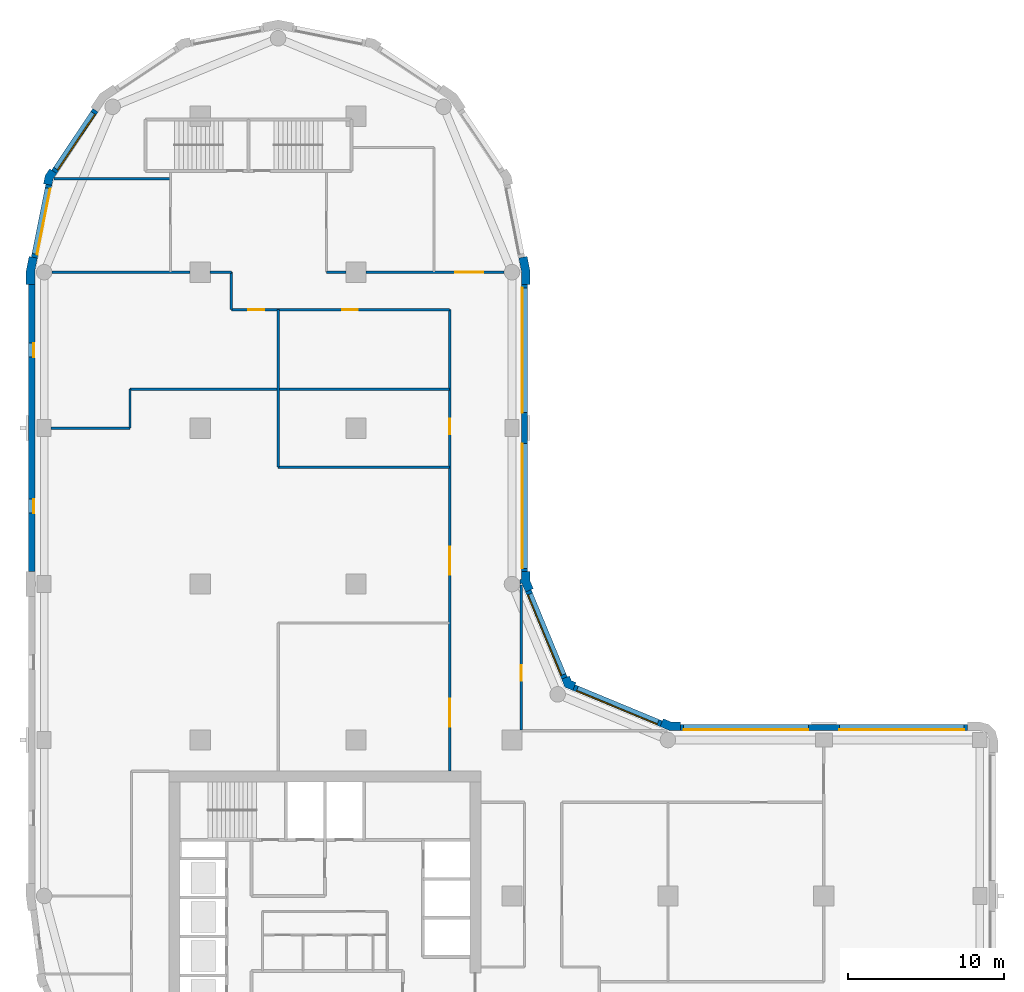
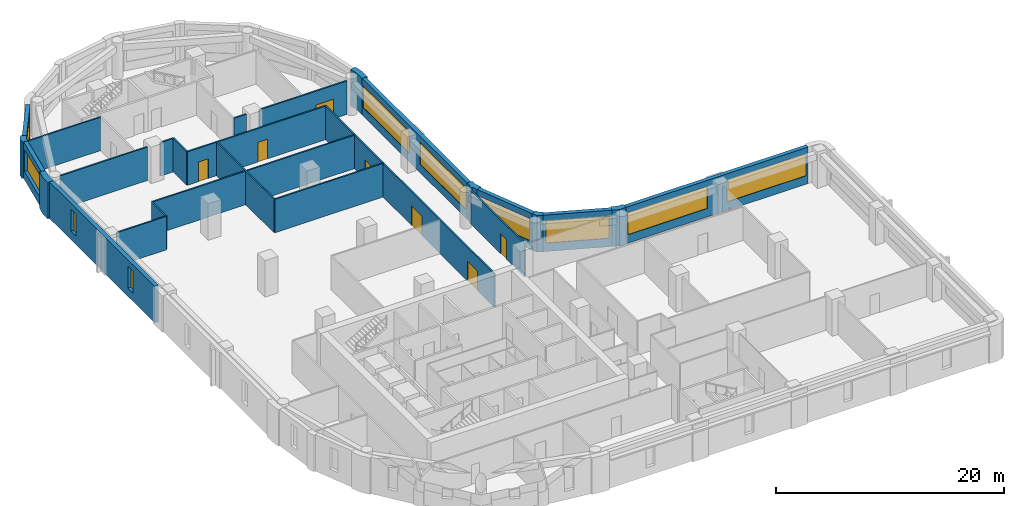
# One storey, part 5 of 9: 27 walls, 10 windows, 7 doors, 17 openings.
"""IFC4 building model written with IfcOpenShell, lengths in metres."""

from ifc_helpers import new_model, si_unit, direction, frame, frame_2d, origin, place, context, subcontext, project, spatial, polyline, rectangle, outline, extrude, material, layer, layer_set, type_object, element, fill, save


model = new_model("IFC4")

# Units and contexts
model_context = context("Model", 3, precision=1e-05, world=origin(), true_north=direction((0.0, 1.0)))
body_context = subcontext(model_context, "Body", "Model", "MODEL_VIEW")
ifc_project = project(units=[si_unit("LENGTHUNIT", "METRE"), si_unit("AREAUNIT", "SQUARE_METRE"), si_unit("VOLUMEUNIT", "CUBIC_METRE"), si_unit("PLANEANGLEUNIT", "RADIAN"), si_unit("MASSUNIT", "GRAM", prefix="KILO")], contexts=[model_context])

# Site, building, storey
site_placement = place(None, origin())
site = spatial("IfcSite", under=ifc_project, at=site_placement, CompositionType="ELEMENT")
building_placement = place(site_placement, origin())
building = spatial("IfcBuilding", under=site, at=building_placement, Name="Qaws Garden Tower", CompositionType="ELEMENT")
storey_placement = place(building_placement, frame((0.0, 0.0, 198.0)))
storey = spatial("IfcBuildingStorey", under=building, at=storey_placement, Name="L48", CompositionType="ELEMENT", Elevation=198.0)

# Wall, openings, windows
ifc_material_1 = material(Name="Clay facing brick masonry", Category="masonry")
ifc_layer_1 = layer(ifc_material_1, 0.39990234375)
ifc_layer_set_1 = layer_set([ifc_layer_1], Name="Clay facing brick masonry")
wall_type_1 = type_object("IfcWallType", Name="Brick infill wall 400", PredefinedType="SOLIDWALL", material=ifc_layer_set_1)
wall_1_placement = place(storey_placement, frame((59.199951171875, 30.800048828125, 0.0), z_axis=(0.0, 0.0, 1.0), x_axis=(-1.0, 0.0, 0.0)))
wall_1 = element("IfcWall", 1, at=wall_1_placement, inside=storey, type_object=wall_type_1, Name="E-L48-infill-07", PredefinedType="SOLIDWALL", context=body_context, shape_type="SweptSolid", body=[
    extrude(rectangle(XDim=18.39990234375, YDim=0.39990234375, at=frame_2d((9.199951171875, 0.0))), origin(), (0.0, 0.0, 1.0), 3.89990234375),
])
opening_1_placement = place(wall_1_placement, frame((0.199951171875, 0.0, 0.89990234375)))
opening_1 = element("IfcOpeningElement", 2, at=opening_1_placement, cuts=wall_1, Name="Opening W01", PredefinedType="OPENING", context=body_context, shape_type="SweptSolid", body=[
    extrude(rectangle(XDim=8.0, YDim=2.35009765625, at=frame_2d((4.0, 1.175048828125))), frame((0.0, 0.2099609375, 0.0), z_axis=(0.0, -1.0, 0.0), x_axis=(1.0, 0.0, 0.0)), (0.0, 0.0, 1.0), 0.419921875),
])
opening_2_placement = place(wall_1_placement, frame((10.199951171875, 0.0, 0.89990234375)))
opening_2 = element("IfcOpeningElement", 3, at=opening_2_placement, cuts=wall_1, Name="Opening W01", PredefinedType="OPENING", context=body_context, shape_type="SweptSolid", body=[
    extrude(rectangle(XDim=8.0, YDim=2.35009765625, at=frame_2d((4.0, 1.175048828125))), frame((0.0, 0.2099609375, 0.0), z_axis=(0.0, -1.0, 0.0), x_axis=(1.0, 0.0, 0.0)), (0.0, 0.0, 1.0), 0.419921875),
])
ifc_material_2 = material(Name="Aluminium framed window, clear glazing", Category="aluminium")
window_type_1 = type_object("IfcWindowType", Name="Ribbon window 8000 x 2350", PartitioningType="DOUBLE_PANEL_VERTICAL", PredefinedType="WINDOW", material=ifc_material_2)
window_1_placement = place(opening_1_placement, origin())
window_1 = element("IfcWindow", 4, at=window_1_placement, inside=storey, type_object=window_type_1, Name="E-L48-window-07-0", OverallHeight=2.35009765625, OverallWidth=8.0, PartitioningType="SINGLE_PANEL", PredefinedType="WINDOW", context=body_context, shape_type="SweptSolid", body=[
    extrude(rectangle(XDim=8.0, YDim=2.35009765625, at=frame_2d((4.0, 1.175048828125))), frame((0.0, 0.159912109375, 0.0), z_axis=(0.0, -1.0, 0.0), x_axis=(1.0, 0.0, 0.0)), (0.0, 0.0, 1.0), 0.06005859375),
])
fill(opening_1, window_1)
window_2_placement = place(opening_2_placement, origin())
window_2 = element("IfcWindow", 5, at=window_2_placement, inside=storey, type_object=window_type_1, Name="E-L48-window-08-0", OverallHeight=2.35009765625, OverallWidth=8.0, PartitioningType="SINGLE_PANEL", PredefinedType="WINDOW", context=body_context, shape_type="SweptSolid", body=[
    extrude(rectangle(XDim=8.0, YDim=2.35009765625, at=frame_2d((4.0, 1.175048828125))), frame((0.0, 0.159912109375, 0.0), z_axis=(0.0, -1.0, 0.0), x_axis=(1.0, 0.0, 0.0)), (0.0, 0.0, 1.0), 0.06005859375),
])
fill(opening_2, window_2)

# Wall, opening, window
wall_2_placement = place(storey_placement, frame((39.56689453125, 31.04541015625, 0.0), z_axis=(0.0, 0.0, 1.0), x_axis=(-0.923891000409, 0.382655745237, 0.0)))
wall_2 = element("IfcWall", 6, at=wall_2_placement, inside=storey, type_object=wall_type_1, Name="E-L48-infill-09", PredefinedType="SOLIDWALL", context=body_context, shape_type="SweptSolid", body=[
    extrude(rectangle(XDim=6.053466796875, YDim=0.39990234375, at=frame_2d((3.02685546875, 0.0))), origin(), (0.0, 0.0, 1.0), 3.89990234375),
])
opening_3_placement = place(wall_2_placement, frame((0.226806640625, 0.0, 0.89990234375)))
opening_3 = element("IfcOpeningElement", 7, at=opening_3_placement, cuts=wall_2, Name="Opening W04", PredefinedType="OPENING", context=body_context, shape_type="SweptSolid", body=[
    extrude(rectangle(XDim=5.60009765625, YDim=2.35009765625, at=frame_2d((2.800048828125, 1.175048828125))), frame((0.0, 0.2099609375, 0.0), z_axis=(0.0, -1.0, 0.0), x_axis=(1.0, 0.0, 0.0)), (0.0, 0.0, 1.0), 0.419921875),
])
ifc_material_3 = material(Name="Aluminium framed window, clear glazing", Category="aluminium")
window_type_2 = type_object("IfcWindowType", Name="Ribbon window 5600 x 2350", PartitioningType="DOUBLE_PANEL_VERTICAL", PredefinedType="WINDOW", material=ifc_material_3)
window_3_placement = place(opening_3_placement, origin())
window_3 = element("IfcWindow", 8, at=window_3_placement, inside=storey, type_object=window_type_2, Name="E-L48-window-09-0", OverallHeight=2.35009765625, OverallWidth=5.60009765625, PartitioningType="SINGLE_PANEL", PredefinedType="WINDOW", context=body_context, shape_type="SweptSolid", body=[
    extrude(rectangle(XDim=5.60009765625, YDim=2.35009765625, at=frame_2d((2.800048828125, 1.175048828125))), frame((0.0, 0.159912109375, 0.0), z_axis=(0.0, -1.0, 0.0), x_axis=(1.0, 0.0, 0.0)), (0.0, 0.0, 1.0), 0.06005859375),
])
fill(opening_3, window_3)

wall_3_placement = place(storey_placement, frame((33.36181640625, 33.97412109375, 0.0), z_axis=(0.0, 0.0, 1.0), x_axis=(-0.382655745237, 0.923891000409, 0.0)))
wall_3 = element("IfcWall", 9, at=wall_3_placement, inside=storey, type_object=wall_type_1, Name="E-L48-infill-10", PredefinedType="SOLIDWALL", context=body_context, shape_type="SweptSolid", body=[
    extrude(rectangle(XDim=6.053466796875, YDim=0.39990234375, at=frame_2d((3.02685546875, 0.0))), origin(), (0.0, 0.0, 1.0), 3.89990234375),
])
opening_4_placement = place(wall_3_placement, frame((0.226806640625, 0.0, 0.89990234375)))
opening_4 = element("IfcOpeningElement", 10, at=opening_4_placement, cuts=wall_3, Name="Opening W04", PredefinedType="OPENING", context=body_context, shape_type="SweptSolid", body=[
    extrude(rectangle(XDim=5.60009765625, YDim=2.35009765625, at=frame_2d((2.800048828125, 1.175048828125))), frame((0.0, 0.2099609375, 0.0), z_axis=(0.0, -1.0, 0.0), x_axis=(1.0, 0.0, 0.0)), (0.0, 0.0, 1.0), 0.419921875),
])
window_4_placement = place(opening_4_placement, origin())
window_4 = element("IfcWindow", 11, at=window_4_placement, inside=storey, type_object=window_type_2, Name="E-L48-window-10-0", OverallHeight=2.35009765625, OverallWidth=5.60009765625, PartitioningType="SINGLE_PANEL", PredefinedType="WINDOW", context=body_context, shape_type="SweptSolid", body=[
    extrude(rectangle(XDim=5.60009765625, YDim=2.35009765625, at=frame_2d((2.800048828125, 1.175048828125))), frame((0.0, 0.159912109375, 0.0), z_axis=(0.0, -1.0, 0.0), x_axis=(1.0, 0.0, 0.0)), (0.0, 0.0, 1.0), 0.06005859375),
])
fill(opening_4, window_4)

# Wall, openings, windows
wall_4_placement = place(storey_placement, frame((30.800048828125, 40.800048828125, 0.0), z_axis=(0.0, 0.0, 1.0), x_axis=(0.0, 1.0, 0.0)))
wall_4 = element("IfcWall", 12, at=wall_4_placement, inside=storey, type_object=wall_type_1, Name="E-L48-infill-11", PredefinedType="SOLIDWALL", context=body_context, shape_type="SweptSolid", body=[
    extrude(rectangle(XDim=18.39990234375, YDim=0.39990234375, at=frame_2d((9.199951171875, 0.0))), origin(), (0.0, 0.0, 1.0), 3.89990234375),
])
opening_5_placement = place(wall_4_placement, frame((0.199951171875, 0.0, 0.89990234375)))
opening_5 = element("IfcOpeningElement", 13, at=opening_5_placement, cuts=wall_4, Name="Opening W01", PredefinedType="OPENING", context=body_context, shape_type="SweptSolid", body=[
    extrude(rectangle(XDim=8.0, YDim=2.35009765625, at=frame_2d((4.0, 1.175048828125))), frame((0.0, 0.2099609375, 0.0), z_axis=(0.0, -1.0, 0.0), x_axis=(1.0, 0.0, 0.0)), (0.0, 0.0, 1.0), 0.419921875),
])
opening_6_placement = place(wall_4_placement, frame((10.199951171875, 0.0, 0.89990234375)))
opening_6 = element("IfcOpeningElement", 14, at=opening_6_placement, cuts=wall_4, Name="Opening W01", PredefinedType="OPENING", context=body_context, shape_type="SweptSolid", body=[
    extrude(rectangle(XDim=8.0, YDim=2.35009765625, at=frame_2d((4.0, 1.175048828125))), frame((0.0, 0.2099609375, 0.0), z_axis=(0.0, -1.0, 0.0), x_axis=(1.0, 0.0, 0.0)), (0.0, 0.0, 1.0), 0.419921875),
])
window_5_placement = place(opening_5_placement, origin())
window_5 = element("IfcWindow", 15, at=window_5_placement, inside=storey, type_object=window_type_1, Name="E-L48-window-11-0", OverallHeight=2.35009765625, OverallWidth=8.0, PartitioningType="SINGLE_PANEL", PredefinedType="WINDOW", context=body_context, shape_type="SweptSolid", body=[
    extrude(rectangle(XDim=8.0, YDim=2.35009765625, at=frame_2d((4.0, 1.175048828125))), frame((0.0, 0.159912109375, 0.0), z_axis=(0.0, -1.0, 0.0), x_axis=(1.0, 0.0, 0.0)), (0.0, 0.0, 1.0), 0.06005859375),
])
fill(opening_5, window_5)
window_6_placement = place(opening_6_placement, origin())
window_6 = element("IfcWindow", 16, at=window_6_placement, inside=storey, type_object=window_type_1, Name="E-L48-window-12-0", OverallHeight=2.35009765625, OverallWidth=8.0, PartitioningType="SINGLE_PANEL", PredefinedType="WINDOW", context=body_context, shape_type="SweptSolid", body=[
    extrude(rectangle(XDim=8.0, YDim=2.35009765625, at=frame_2d((4.0, 1.175048828125))), frame((0.0, 0.159912109375, 0.0), z_axis=(0.0, -1.0, 0.0), x_axis=(1.0, 0.0, 0.0)), (0.0, 0.0, 1.0), 0.06005859375),
])
fill(opening_6, window_6)

# Wall, opening, window
wall_5_placement = place(storey_placement, frame((3.28369140625, 70.385986328125, 0.0), z_axis=(0.0, 0.0, 1.0), x_axis=(-0.555541552266, -0.831488775454, 0.0)))
wall_5 = element("IfcWall", 17, at=wall_5_placement, inside=storey, type_object=wall_type_1, Name="E-L48-infill-19", PredefinedType="SOLIDWALL", context=body_context, shape_type="SweptSolid", body=[
    extrude(rectangle(XDim=4.752685546875, YDim=0.39990234375, at=frame_2d((2.37646484375, 0.0))), origin(), (0.0, 0.0, 1.0), 3.89990234375),
])
opening_7_placement = place(wall_5_placement, frame((0.226318359375, 0.0, 0.89990234375)))
opening_7 = element("IfcOpeningElement", 18, at=opening_7_placement, cuts=wall_5, Name="Opening W06", PredefinedType="OPENING", context=body_context, shape_type="SweptSolid", body=[
    extrude(rectangle(XDim=4.300048828125, YDim=2.35009765625, at=frame_2d((2.14990234375, 1.175048828125))), frame((0.0, 0.2099609375, 0.0), z_axis=(0.0, -1.0, 0.0), x_axis=(1.0, 0.0, 0.0)), (0.0, 0.0, 1.0), 0.419921875),
])
ifc_material_4 = material(Name="Aluminium framed window, clear glazing", Category="aluminium")
window_type_3 = type_object("IfcWindowType", Name="Ribbon window 4300 x 2350", PartitioningType="DOUBLE_PANEL_VERTICAL", PredefinedType="WINDOW", material=ifc_material_4)
window_7_placement = place(opening_7_placement, origin())
window_7 = element("IfcWindow", 19, at=window_7_placement, inside=storey, type_object=window_type_3, Name="E-L48-window-19-0", OverallHeight=2.35009765625, OverallWidth=4.300048828125, PartitioningType="SINGLE_PANEL", PredefinedType="WINDOW", context=body_context, shape_type="SweptSolid", body=[
    extrude(rectangle(XDim=4.300048828125, YDim=2.35009765625, at=frame_2d((2.14990234375, 1.175048828125))), frame((0.0, 0.159912109375, 0.0), z_axis=(0.0, -1.0, 0.0), x_axis=(1.0, 0.0, 0.0)), (0.0, 0.0, 1.0), 0.06005859375),
])
fill(opening_7, window_7)

wall_6_placement = place(storey_placement, frame((0.298583984375, 65.60205078125, 0.0), z_axis=(0.0, 0.0, 1.0), x_axis=(-0.195098533057, -0.98078364709, 0.0)))
wall_6 = element("IfcWall", 20, at=wall_6_placement, inside=storey, type_object=wall_type_1, Name="E-L48-infill-20", PredefinedType="SOLIDWALL", context=body_context, shape_type="SweptSolid", body=[
    extrude(rectangle(XDim=4.752685546875, YDim=0.39990234375, at=frame_2d((2.37646484375, 0.0))), origin(), (0.0, 0.0, 1.0), 3.89990234375),
])
opening_8_placement = place(wall_6_placement, frame((0.226318359375, 0.0, 0.89990234375)))
opening_8 = element("IfcOpeningElement", 21, at=opening_8_placement, cuts=wall_6, Name="Opening W06", PredefinedType="OPENING", context=body_context, shape_type="SweptSolid", body=[
    extrude(rectangle(XDim=4.300048828125, YDim=2.35009765625, at=frame_2d((2.14990234375, 1.175048828125))), frame((0.0, 0.2099609375, 0.0), z_axis=(0.0, -1.0, 0.0), x_axis=(1.0, 0.0, 0.0)), (0.0, 0.0, 1.0), 0.419921875),
])
window_8_placement = place(opening_8_placement, origin())
window_8 = element("IfcWindow", 22, at=window_8_placement, inside=storey, type_object=window_type_3, Name="E-L48-window-20-0", OverallHeight=2.35009765625, OverallWidth=4.300048828125, PartitioningType="SINGLE_PANEL", PredefinedType="WINDOW", context=body_context, shape_type="SweptSolid", body=[
    extrude(rectangle(XDim=4.300048828125, YDim=2.35009765625, at=frame_2d((2.14990234375, 1.175048828125))), frame((0.0, 0.159912109375, 0.0), z_axis=(0.0, -1.0, 0.0), x_axis=(1.0, 0.0, 0.0)), (0.0, 0.0, 1.0), 0.06005859375),
])
fill(opening_8, window_8)

# Wall, openings, windows
wall_7_placement = place(storey_placement, frame((-0.800048828125, 59.199951171875, 0.0), z_axis=(0.0, 0.0, 1.0), x_axis=(0.0, -1.0, 0.0)))
wall_7 = element("IfcWall", 23, at=wall_7_placement, inside=storey, type_object=wall_type_1, Name="E-L48-infill-21", PredefinedType="SOLIDWALL", context=body_context, shape_type="SweptSolid", body=[
    extrude(rectangle(XDim=18.39990234375, YDim=0.39990234375, at=frame_2d((9.199951171875, 0.0))), origin(), (0.0, 0.0, 1.0), 3.89990234375),
])
opening_9_placement = place(wall_7_placement, frame((3.75, 0.0, 0.89990234375)))
opening_9 = element("IfcOpeningElement", 24, at=opening_9_placement, cuts=wall_7, Name="Opening W09", PredefinedType="OPENING", context=body_context, shape_type="SweptSolid", body=[
    extrude(rectangle(XDim=0.89990234375, YDim=2.35009765625, at=frame_2d((0.449951171875, 1.175048828125))), frame((0.0, 0.2099609375, 0.0), z_axis=(0.0, -1.0, 0.0), x_axis=(1.0, 0.0, 0.0)), (0.0, 0.0, 1.0), 0.419921875),
])
opening_10_placement = place(wall_7_placement, frame((13.75, 0.0, 0.89990234375)))
opening_10 = element("IfcOpeningElement", 25, at=opening_10_placement, cuts=wall_7, Name="Opening W09", PredefinedType="OPENING", context=body_context, shape_type="SweptSolid", body=[
    extrude(rectangle(XDim=0.89990234375, YDim=2.35009765625, at=frame_2d((0.449951171875, 1.175048828125))), frame((0.0, 0.2099609375, 0.0), z_axis=(0.0, -1.0, 0.0), x_axis=(1.0, 0.0, 0.0)), (0.0, 0.0, 1.0), 0.419921875),
])
ifc_material_5 = material(Name="Aluminium framed window, clear glazing", Category="aluminium")
window_type_4 = type_object("IfcWindowType", Name="Slit window 900 x 2350", PartitioningType="SINGLE_PANEL", PredefinedType="WINDOW", material=ifc_material_5)
window_9_placement = place(opening_9_placement, origin())
window_9 = element("IfcWindow", 26, at=window_9_placement, inside=storey, type_object=window_type_4, Name="E-L48-window-21-0", OverallHeight=2.35009765625, OverallWidth=0.89990234375, PartitioningType="SINGLE_PANEL", PredefinedType="WINDOW", context=body_context, shape_type="SweptSolid", body=[
    extrude(rectangle(XDim=0.89990234375, YDim=2.35009765625, at=frame_2d((0.449951171875, 1.175048828125))), frame((0.0, 0.159912109375, 0.0), z_axis=(0.0, -1.0, 0.0), x_axis=(1.0, 0.0, 0.0)), (0.0, 0.0, 1.0), 0.06005859375),
])
fill(opening_9, window_9)
window_10_placement = place(opening_10_placement, origin())
window_10 = element("IfcWindow", 27, at=window_10_placement, inside=storey, type_object=window_type_4, Name="E-L48-window-22-0", OverallHeight=2.35009765625, OverallWidth=0.89990234375, PartitioningType="SINGLE_PANEL", PredefinedType="WINDOW", context=body_context, shape_type="SweptSolid", body=[
    extrude(rectangle(XDim=0.89990234375, YDim=2.35009765625, at=frame_2d((0.449951171875, 1.175048828125))), frame((0.0, 0.159912109375, 0.0), z_axis=(0.0, -1.0, 0.0), x_axis=(1.0, 0.0, 0.0)), (0.0, 0.0, 1.0), 0.06005859375),
])
fill(opening_10, window_10)

# Walls
ifc_material_6 = material(Name="Clay facing brick masonry", Category="masonry")
ifc_layer_2 = layer(ifc_material_6, 0.550048828125)
ifc_layer_set_2 = layer_set([ifc_layer_2], Name="Clay facing brick masonry")
wall_type_2 = type_object("IfcWallType", Name="Brick kink pier 550 x 600", PredefinedType="SOLIDWALL", material=ifc_layer_set_2)
placement = place(storey_placement, origin())
element("IfcWall", 28, at=placement, inside=storey, type_object=wall_type_2, Name="E-L48-pier-20", PredefinedType="SOLIDWALL", context=body_context, shape_type="SweptSolid", body=[
    extrude(outline(polyline([(0.47705078125, 66.545166015625), (0.352294921875, 66.628662109375), (0.05859375, 66.18896484375), (-0.044677734375, 65.67041015625), (0.1025390625, 65.64111328125), (0.494873046875, 65.56298828125), (0.57666015625, 65.974365234375), (0.8095703125, 66.322998046875), (0.47705078125, 66.545166015625)])), origin(), (0.0, 0.0, 1.0), 3.89990234375),
])
ifc_material_7 = material(Name="Clay facing brick masonry", Category="masonry")
ifc_layer_3 = layer(ifc_material_7, 0.550048828125)
ifc_layer_set_3 = layer_set([ifc_layer_3], Name="Clay facing brick masonry")
wall_type_3 = type_object("IfcWallType", Name="Brick pier 550 x 1600", PredefinedType="SOLIDWALL", material=ifc_layer_set_3)
element("IfcWall", 29, at=placement, inside=storey, type_object=wall_type_3, Name="E-L48-pier-09", PredefinedType="SOLIDWALL", context=body_context, shape_type="SweptSolid", body=[
    extrude(outline(polyline([(40.800048828125, 31.0), (40.800048828125, 31.14990234375), (40.228759765625, 31.14990234375), (39.700927734375, 31.36865234375), (39.6435546875, 31.22998046875), (39.490478515625, 30.860595703125), (40.119384765625, 30.60009765625), (40.800048828125, 30.60009765625), (40.800048828125, 31.0)])), origin(), (0.0, 0.0, 1.0), 3.89990234375),
])
element("IfcWall", 30, at=placement, inside=storey, type_object=wall_type_3, Name="E-L48-pier-10", PredefinedType="SOLIDWALL", context=body_context, shape_type="SweptSolid", body=[
    extrude(outline(polyline([(34.05078125, 33.546630859375), (34.108154296875, 33.685302734375), (33.80908203125, 33.80908203125), (33.685302734375, 34.108154296875), (33.546630859375, 34.05078125), (33.177001953125, 33.897705078125), (33.38818359375, 33.38818359375), (33.897705078125, 33.177001953125), (34.05078125, 33.546630859375)])), origin(), (0.0, 0.0, 1.0), 3.89990234375),
])
element("IfcWall", 31, at=placement, inside=storey, type_object=wall_type_3, Name="E-L48-pier-11", PredefinedType="SOLIDWALL", context=body_context, shape_type="SweptSolid", body=[
    extrude(outline(polyline([(30.6201171875, 39.995361328125), (30.6201171875, 40.071044921875), (30.860595703125, 39.490478515625), (31.22998046875, 39.6435546875), (31.36865234375, 39.700927734375), (31.14990234375, 40.228759765625), (31.14990234375, 40.800048828125), (31.0, 40.800048828125), (30.60009765625, 40.800048828125), (30.60009765625, 40.29541015625), (30.5, 40.29541015625), (30.5, 39.995361328125), (30.6201171875, 39.995361328125)])), origin(), (0.0, 0.0, 1.0), 3.89990234375),
])
element("IfcWall", 32, at=placement, inside=storey, type_object=wall_type_3, Name="E-L48-pier-13", PredefinedType="SOLIDWALL", context=body_context, shape_type="SweptSolid", body=[
    extrude(outline(polyline([(31.0, 59.199951171875), (31.14990234375, 59.199951171875), (31.14990234375, 60.11328125), (30.971923828125, 61.009033203125), (30.82470703125, 60.979736328125), (30.432373046875, 60.901611328125), (30.60009765625, 60.05908203125), (30.60009765625, 59.199951171875), (31.0, 59.199951171875)])), origin(), (0.0, 0.0, 1.0), 3.89990234375),
])
element("IfcWall", 33, at=placement, inside=storey, type_object=wall_type_3, Name="E-L48-pier-21", PredefinedType="SOLIDWALL", context=body_context, shape_type="SweptSolid", body=[
    extrude(outline(polyline([(-0.82470703125, 60.979736328125), (-0.971923828125, 61.009033203125), (-1.14990234375, 60.11328125), (-1.14990234375, 59.199951171875), (-1.0, 59.199951171875), (-0.60009765625, 59.199951171875), (-0.60009765625, 60.05908203125), (-0.432373046875, 60.901611328125), (-0.82470703125, 60.979736328125)])), origin(), (0.0, 0.0, 1.0), 3.89990234375),
])
ifc_material_8 = material(Name="Gypsum board partition")
ifc_layer_4 = layer(ifc_material_8, 0.14990234375)
ifc_layer_set_4 = layer_set([ifc_layer_4], Name="Gypsum board partition")
wall_type_4 = type_object("IfcWallType", Name="PARTITION 150 EI 60", PredefinedType="PARTITIONING", material=ifc_layer_set_4)
wall_14_placement = place(storey_placement, frame((5.5, 50.0, 0.0), z_axis=(0.0, 0.0, 1.0), x_axis=(0.0, 1.0, 0.0)))
element("IfcWall", 34, at=wall_14_placement, inside=storey, type_object=wall_type_4, Name="O-L48-wall-003", PredefinedType="PARTITIONING", context=body_context, shape_type="SweptSolid", body=[
    extrude(rectangle(XDim=2.5, YDim=0.14990234375, at=frame_2d((1.25, 0.0))), origin(), (0.0, 0.0, 1.0), 3.580078125),
])
wall_15_placement = place(storey_placement, frame((12.0, 57.60009765625, 0.0), z_axis=(0.0, 0.0, 1.0), x_axis=(0.0, 1.0, 0.0)))
element("IfcWall", 35, at=wall_15_placement, inside=storey, type_object=wall_type_4, Name="O-L48-wall-006", PredefinedType="PARTITIONING", context=body_context, shape_type="SweptSolid", body=[
    extrude(rectangle(XDim=2.39990234375, YDim=0.14990234375, at=frame_2d((1.199951171875, 0.0))), origin(), (0.0, 0.0, 1.0), 3.580078125),
])
wall_16_placement = place(storey_placement, frame((15.0, 47.5, 0.0), z_axis=(0.0, 0.0, 1.0), x_axis=(0.0, 1.0, 0.0)))
element("IfcWall", 36, at=wall_16_placement, inside=storey, type_object=wall_type_4, Name="O-L48-wall-009", PredefinedType="PARTITIONING", context=body_context, shape_type="SweptSolid", body=[
    extrude(rectangle(XDim=10.10009765625, YDim=0.14990234375, at=frame_2d((5.050048828125, 0.0))), origin(), (0.0, 0.0, 1.0), 3.580078125),
])

# Wall, openings, doors
wall_17_placement = place(storey_placement, frame((26.0, 28.0, 0.0), z_axis=(0.0, 0.0, 1.0), x_axis=(0.0, 1.0, 0.0)))
wall_17 = element("IfcWall", 37, at=wall_17_placement, inside=storey, type_object=wall_type_4, Name="O-L48-wall-013", PredefinedType="PARTITIONING", context=body_context, shape_type="SweptSolid", body=[
    extrude(rectangle(XDim=29.60009765625, YDim=0.14990234375, at=frame_2d((14.800048828125, 0.0))), origin(), (0.0, 0.0, 1.0), 3.580078125),
])
opening_11_placement = place(wall_17_placement, frame((2.85009765625, 0.0, 0.0)))
opening_11 = element("IfcOpeningElement", 38, at=opening_11_placement, cuts=wall_17, Name="Opening B604", PredefinedType="OPENING", context=body_context, shape_type="SweptSolid", body=[
    extrude(rectangle(XDim=1.800048828125, YDim=2.10009765625, at=frame_2d((0.89990234375, 1.050048828125))), frame((0.0, 0.0849609375, 0.0), z_axis=(0.0, -1.0, 0.0), x_axis=(1.0, 0.0, 0.0)), (0.0, 0.0, 1.0), 0.169921875),
])
opening_12_placement = place(wall_17_placement, frame((12.60009765625, 0.0, 0.0)))
opening_12 = element("IfcOpeningElement", 39, at=opening_12_placement, cuts=wall_17, Name="Opening B605", PredefinedType="OPENING", context=body_context, shape_type="SweptSolid", body=[
    extrude(rectangle(XDim=1.800048828125, YDim=2.10009765625, at=frame_2d((0.89990234375, 1.050048828125))), frame((0.0, 0.0849609375, 0.0), z_axis=(0.0, -1.0, 0.0), x_axis=(1.0, 0.0, 0.0)), (0.0, 0.0, 1.0), 0.169921875),
])
opening_13_placement = place(wall_17_placement, frame((21.60009765625, 0.0, 0.0)))
opening_13 = element("IfcOpeningElement", 40, at=opening_13_placement, cuts=wall_17, Name="Opening B606", PredefinedType="OPENING", context=body_context, shape_type="SweptSolid", body=[
    extrude(rectangle(XDim=1.0, YDim=2.10009765625, at=frame_2d((0.5, 1.050048828125))), frame((0.0, 0.0849609375, 0.0), z_axis=(0.0, -1.0, 0.0), x_axis=(1.0, 0.0, 0.0)), (0.0, 0.0, 1.0), 0.169921875),
])
ifc_material_9 = material(Name="Timber door leaf", Category="wood")
door_type_1 = type_object("IfcDoorType", Name="DOUBLE DOOR 1800 X 2100", OperationType="DOUBLE_DOOR_SINGLE_SWING", PredefinedType="DOOR", material=ifc_material_9)
door_1_placement = place(opening_11_placement, origin())
door_1 = element("IfcDoor", 41, at=door_1_placement, inside=storey, type_object=door_type_1, Name="O-L48-door-004", OperationType="DOUBLE_DOOR_SINGLE_SWING", OverallHeight=2.10009765625, OverallWidth=1.800048828125, PredefinedType="DOOR", context=body_context, shape_type="SweptSolid", body=[
    extrude(rectangle(XDim=1.800048828125, YDim=2.10009765625, at=frame_2d((0.89990234375, 1.050048828125))), frame((0.0, 0.02490234375, 0.0), z_axis=(0.0, -1.0, 0.0), x_axis=(1.0, 0.0, 0.0)), (0.0, 0.0, 1.0), 0.050048828125),
])
fill(opening_11, door_1)
door_2_placement = place(opening_12_placement, origin())
door_2 = element("IfcDoor", 42, at=door_2_placement, inside=storey, type_object=door_type_1, Name="O-L48-door-005", OperationType="DOUBLE_DOOR_SINGLE_SWING", OverallHeight=2.10009765625, OverallWidth=1.800048828125, PredefinedType="DOOR", context=body_context, shape_type="SweptSolid", body=[
    extrude(rectangle(XDim=1.800048828125, YDim=2.10009765625, at=frame_2d((0.89990234375, 1.050048828125))), frame((0.0, 0.02490234375, 0.0), z_axis=(0.0, -1.0, 0.0), x_axis=(1.0, 0.0, 0.0)), (0.0, 0.0, 1.0), 0.050048828125),
])
fill(opening_12, door_2)
ifc_material_10 = material(Name="Timber door leaf", Category="wood")
door_type_2 = type_object("IfcDoorType", Name="TENANCY ENTRANCE DOOR 1000 X 2100", OperationType="SINGLE_SWING_LEFT", PredefinedType="DOOR", material=ifc_material_10)
door_3_placement = place(opening_13_placement, origin())
door_3 = element("IfcDoor", 43, at=door_3_placement, inside=storey, type_object=door_type_2, Name="O-L48-door-006", OperationType="SINGLE_SWING_LEFT", OverallHeight=2.10009765625, OverallWidth=1.0, PredefinedType="DOOR", context=body_context, shape_type="SweptSolid", body=[
    extrude(rectangle(XDim=1.0, YDim=2.10009765625, at=frame_2d((0.5, 1.050048828125))), frame((0.0, 0.02490234375, 0.0), z_axis=(0.0, -1.0, 0.0), x_axis=(1.0, 0.0, 0.0)), (0.0, 0.0, 1.0), 0.050048828125),
])
fill(opening_13, door_3)

# Wall, opening, door
wall_18_placement = place(storey_placement, frame((30.60009765625, 30.64990234375, 0.0), z_axis=(0.0, 0.0, 1.0), x_axis=(0.0, 1.0, 0.0)))
wall_18 = element("IfcWall", 44, at=wall_18_placement, inside=storey, type_object=wall_type_4, Name="O-L48-wall-014", PredefinedType="PARTITIONING", context=body_context, shape_type="SweptSolid", body=[
    extrude(rectangle(XDim=9.288330078125, YDim=0.14990234375, at=frame_2d((4.64404296875, 0.0))), origin(), (0.0, 0.0, 1.0), 3.580078125),
])
opening_14_placement = place(wall_18_placement, frame((3.14990234375, 0.0, 0.0)))
opening_14 = element("IfcOpeningElement", 45, at=opening_14_placement, cuts=wall_18, Name="Opening B613", PredefinedType="OPENING", context=body_context, shape_type="SweptSolid", body=[
    extrude(rectangle(XDim=1.0, YDim=2.10009765625, at=frame_2d((0.5, 1.050048828125))), frame((0.0, 0.0849609375, 0.0), z_axis=(0.0, -1.0, 0.0), x_axis=(1.0, 0.0, 0.0)), (0.0, 0.0, 1.0), 0.169921875),
])
door_4_placement = place(opening_14_placement, frame((1.0, 0.0, 0.0), z_axis=(0.0, 0.0, 1.0), x_axis=(-1.0, 0.0, 0.0)))
door_4 = element("IfcDoor", 46, at=door_4_placement, inside=storey, type_object=door_type_2, Name="O-L48-door-013", OperationType="SINGLE_SWING_LEFT", OverallHeight=2.10009765625, OverallWidth=1.0, PredefinedType="DOOR", context=body_context, shape_type="SweptSolid", body=[
    extrude(rectangle(XDim=1.0, YDim=2.10009765625, at=frame_2d((0.5, 1.050048828125))), frame((0.0, 0.02490234375, 0.0), z_axis=(0.0, -1.0, 0.0), x_axis=(1.0, 0.0, 0.0)), (0.0, 0.0, 1.0), 0.050048828125),
])
fill(opening_14, door_4)

# Walls
wall_19_placement = place(storey_placement, frame((15.0, 47.5, 0.0), z_axis=(0.0, 0.0, 1.0), x_axis=(1.0, 0.0, 0.0)))
element("IfcWall", 47, at=wall_19_placement, inside=storey, type_object=wall_type_4, Name="O-L48-wall-045", PredefinedType="PARTITIONING", context=body_context, shape_type="SweptSolid", body=[
    extrude(rectangle(XDim=11.0, YDim=0.14990234375, at=frame_2d((5.5, 0.0))), origin(), (0.0, 0.0, 1.0), 3.580078125),
])
wall_20_placement = place(storey_placement, frame((0.449951171875, 50.0, 0.0), z_axis=(0.0, 0.0, 1.0), x_axis=(1.0, 0.0, 0.0)))
element("IfcWall", 48, at=wall_20_placement, inside=storey, type_object=wall_type_4, Name="O-L48-wall-046", PredefinedType="PARTITIONING", context=body_context, shape_type="SweptSolid", body=[
    extrude(rectangle(XDim=5.050048828125, YDim=0.14990234375, at=frame_2d((2.52490234375, 0.0))), origin(), (0.0, 0.0, 1.0), 3.580078125),
])
wall_21_placement = place(storey_placement, frame((5.5, 52.5, 0.0), z_axis=(0.0, 0.0, 1.0), x_axis=(1.0, 0.0, 0.0)))
element("IfcWall", 49, at=wall_21_placement, inside=storey, type_object=wall_type_4, Name="O-L48-wall-047", PredefinedType="PARTITIONING", context=body_context, shape_type="SweptSolid", body=[
    extrude(rectangle(XDim=20.5, YDim=0.14990234375, at=frame_2d((10.25, 0.0))), origin(), (0.0, 0.0, 1.0), 3.580078125),
])

# Wall, openings, doors
wall_22_placement = place(storey_placement, frame((12.0, 57.60009765625, 0.0), z_axis=(0.0, 0.0, 1.0), x_axis=(1.0, 0.0, 0.0)))
wall_22 = element("IfcWall", 50, at=wall_22_placement, inside=storey, type_object=wall_type_4, Name="O-L48-wall-048", PredefinedType="PARTITIONING", context=body_context, shape_type="SweptSolid", body=[
    extrude(rectangle(XDim=14.0, YDim=0.14990234375, at=frame_2d((7.0, 0.0))), origin(), (0.0, 0.0, 1.0), 3.580078125),
])
opening_15_placement = place(wall_22_placement, frame((7.10009765625, 0.0, 0.0)))
opening_15 = element("IfcOpeningElement", 51, at=opening_15_placement, cuts=wall_22, Name="Opening B607", PredefinedType="OPENING", context=body_context, shape_type="SweptSolid", body=[
    extrude(rectangle(XDim=1.0, YDim=2.10009765625, at=frame_2d((0.5, 1.050048828125))), frame((0.0, 0.0849609375, 0.0), z_axis=(0.0, -1.0, 0.0), x_axis=(1.0, 0.0, 0.0)), (0.0, 0.0, 1.0), 0.169921875),
])
opening_16_placement = place(wall_22_placement, frame((1.10009765625, 0.0, 0.0)))
opening_16 = element("IfcOpeningElement", 52, at=opening_16_placement, cuts=wall_22, Name="Opening B608", PredefinedType="OPENING", context=body_context, shape_type="SweptSolid", body=[
    extrude(rectangle(XDim=1.0, YDim=2.10009765625, at=frame_2d((0.5, 1.050048828125))), frame((0.0, 0.0849609375, 0.0), z_axis=(0.0, -1.0, 0.0), x_axis=(1.0, 0.0, 0.0)), (0.0, 0.0, 1.0), 0.169921875),
])
door_5_placement = place(opening_15_placement, frame((1.0, 0.0, 0.0), z_axis=(0.0, 0.0, 1.0), x_axis=(-1.0, 0.0, 0.0)))
door_5 = element("IfcDoor", 53, at=door_5_placement, inside=storey, type_object=door_type_2, Name="O-L48-door-007", OperationType="SINGLE_SWING_LEFT", OverallHeight=2.10009765625, OverallWidth=1.0, PredefinedType="DOOR", context=body_context, shape_type="SweptSolid", body=[
    extrude(rectangle(XDim=1.0, YDim=2.10009765625, at=frame_2d((0.5, 1.050048828125))), frame((0.0, 0.02490234375, 0.0), z_axis=(0.0, -1.0, 0.0), x_axis=(1.0, 0.0, 0.0)), (0.0, 0.0, 1.0), 0.050048828125),
])
fill(opening_15, door_5)
door_6_placement = place(opening_16_placement, frame((1.0, 0.0, 0.0), z_axis=(0.0, 0.0, 1.0), x_axis=(-1.0, 0.0, 0.0)))
door_6 = element("IfcDoor", 54, at=door_6_placement, inside=storey, type_object=door_type_2, Name="O-L48-door-008", OperationType="SINGLE_SWING_LEFT", OverallHeight=2.10009765625, OverallWidth=1.0, PredefinedType="DOOR", context=body_context, shape_type="SweptSolid", body=[
    extrude(rectangle(XDim=1.0, YDim=2.10009765625, at=frame_2d((0.5, 1.050048828125))), frame((0.0, 0.02490234375, 0.0), z_axis=(0.0, -1.0, 0.0), x_axis=(1.0, 0.0, 0.0)), (0.0, 0.0, 1.0), 0.050048828125),
])
fill(opening_16, door_6)

# Walls
wall_23_placement = place(storey_placement, frame((0.5, 60.0, 0.0), z_axis=(0.0, 0.0, 1.0), x_axis=(1.0, 0.0, 0.0)))
element("IfcWall", 55, at=wall_23_placement, inside=storey, type_object=wall_type_4, Name="O-L48-wall-049", PredefinedType="PARTITIONING", context=body_context, shape_type="SweptSolid", body=[
    extrude(rectangle(XDim=8.85009765625, YDim=0.14990234375, at=frame_2d((4.425048828125, 0.0))), origin(), (0.0, 0.0, 1.0), 3.580078125),
])
wall_24_placement = place(storey_placement, frame((10.64990234375, 60.0, 0.0), z_axis=(0.0, 0.0, 1.0), x_axis=(1.0, 0.0, 0.0)))
element("IfcWall", 56, at=wall_24_placement, inside=storey, type_object=wall_type_4, Name="O-L48-wall-050", PredefinedType="PARTITIONING", context=body_context, shape_type="SweptSolid", body=[
    extrude(rectangle(XDim=1.35009765625, YDim=0.14990234375, at=frame_2d((0.675048828125, 0.0))), origin(), (0.0, 0.0, 1.0), 3.580078125),
])
wall_25_placement = place(storey_placement, frame((18.10009765625, 60.0, 0.0), z_axis=(0.0, 0.0, 1.0), x_axis=(1.0, 0.0, 0.0)))
element("IfcWall", 57, at=wall_25_placement, inside=storey, type_object=wall_type_4, Name="O-L48-wall-051", PredefinedType="PARTITIONING", context=body_context, shape_type="SweptSolid", body=[
    extrude(rectangle(XDim=1.25, YDim=0.14990234375, at=frame_2d((0.625, 0.0))), origin(), (0.0, 0.0, 1.0), 3.580078125),
])

# Wall, opening, door
wall_26_placement = place(storey_placement, frame((20.64990234375, 60.0, 0.0), z_axis=(0.0, 0.0, 1.0), x_axis=(1.0, 0.0, 0.0)))
wall_26 = element("IfcWall", 58, at=wall_26_placement, inside=storey, type_object=wall_type_4, Name="O-L48-wall-052", PredefinedType="PARTITIONING", context=body_context, shape_type="SweptSolid", body=[
    extrude(rectangle(XDim=8.85009765625, YDim=0.14990234375, at=frame_2d((4.425048828125, 0.0))), origin(), (0.0, 0.0, 1.0), 3.580078125),
])
opening_17_placement = place(wall_26_placement, frame((5.699951171875, 0.0, 0.0)))
opening_17 = element("IfcOpeningElement", 59, at=opening_17_placement, cuts=wall_26, Name="Opening B612", PredefinedType="OPENING", context=body_context, shape_type="SweptSolid", body=[
    extrude(rectangle(XDim=1.800048828125, YDim=2.10009765625, at=frame_2d((0.89990234375, 1.050048828125))), frame((0.0, 0.0849609375, 0.0), z_axis=(0.0, -1.0, 0.0), x_axis=(1.0, 0.0, 0.0)), (0.0, 0.0, 1.0), 0.169921875),
])
door_7_placement = place(opening_17_placement, origin())
door_7 = element("IfcDoor", 60, at=door_7_placement, inside=storey, type_object=door_type_1, Name="O-L48-door-012", OperationType="DOUBLE_DOOR_SINGLE_SWING", OverallHeight=2.10009765625, OverallWidth=1.800048828125, PredefinedType="DOOR", context=body_context, shape_type="SweptSolid", body=[
    extrude(rectangle(XDim=1.800048828125, YDim=2.10009765625, at=frame_2d((0.89990234375, 1.050048828125))), frame((0.0, 0.02490234375, 0.0), z_axis=(0.0, -1.0, 0.0), x_axis=(1.0, 0.0, 0.0)), (0.0, 0.0, 1.0), 0.050048828125),
])
fill(opening_17, door_7)

# Wall
wall_27_placement = place(storey_placement, frame((0.643798828125, 66.0, 0.0), z_axis=(0.0, 0.0, 1.0), x_axis=(1.0, 0.0, 0.0)))
element("IfcWall", 61, at=wall_27_placement, inside=storey, type_object=wall_type_4, Name="O-L48-wall-053", PredefinedType="PARTITIONING", context=body_context, shape_type="SweptSolid", body=[
    extrude(rectangle(XDim=7.456298828125, YDim=0.14990234375, at=frame_2d((3.72802734375, 0.0))), origin(), (0.0, 0.0, 1.0), 3.580078125),
])

save(model, "model.ifc")
